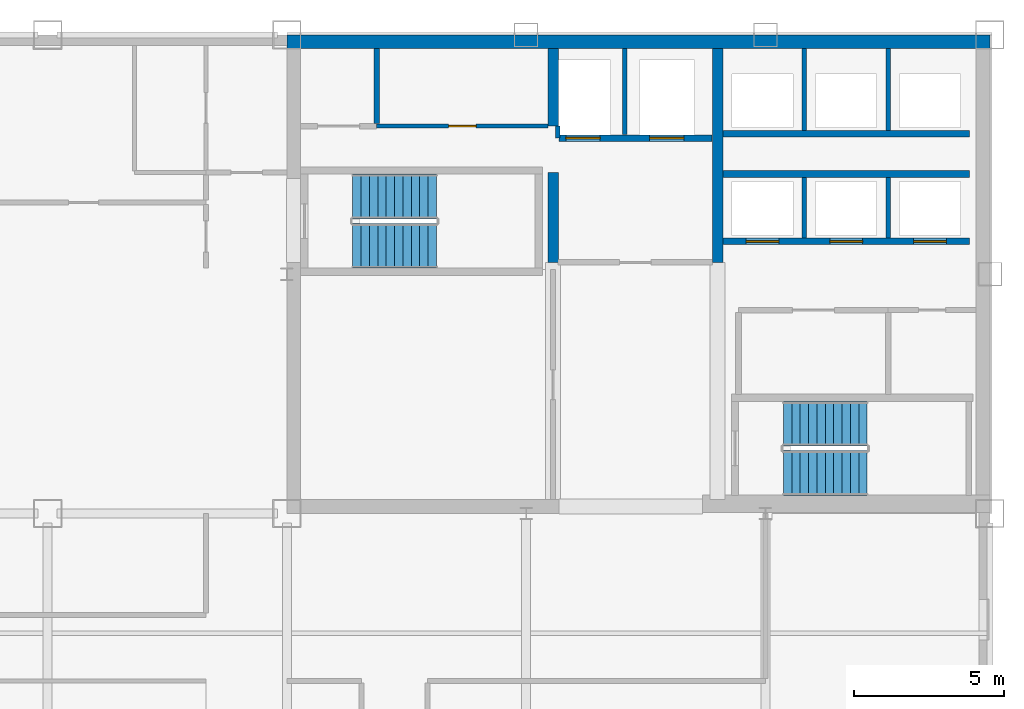
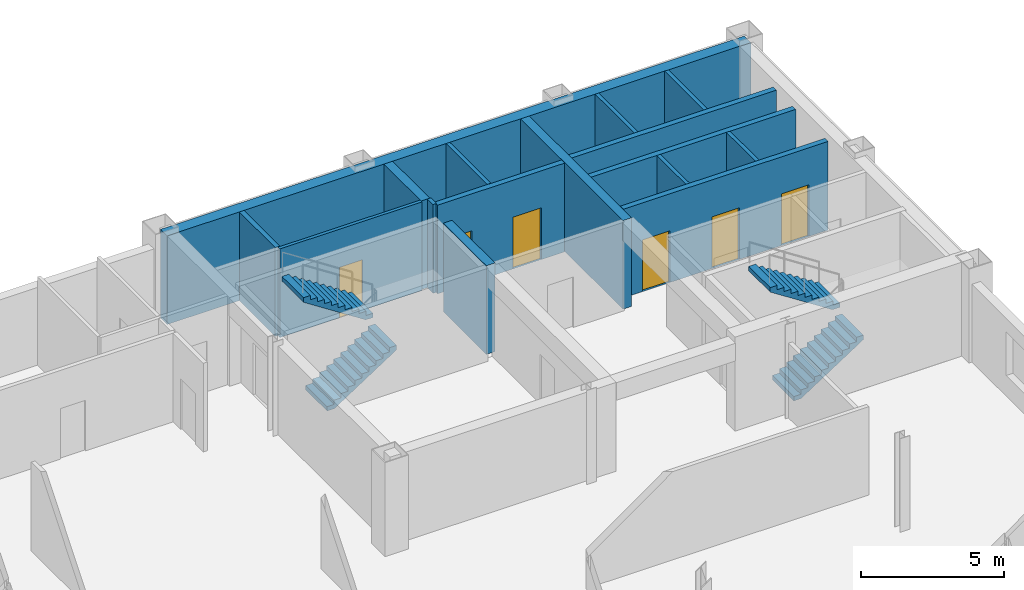
# One storey, part 6 of 10: 16 walls, 6 doors, 4 stair flights, 6 openings, 2 elements without a shape of their own.
"""IFC4 building model written with IfcOpenShell, lengths in metres."""

from ifc_helpers import new_model, si_unit, direction, frame, frame_2d, origin, place, context, subcontext, project, spatial, polyline, rectangle, outline, extrude, material, layer, layer_set, type_object, element, fill, aggregate, save


model = new_model("IFC4")

# Units and contexts
model_context = context("Model", 3, precision=1e-05, world=origin(), true_north=direction((0.0, 1.0)))
body_context = subcontext(model_context, "Body", "Model", "MODEL_VIEW")
ifc_project = project(units=[si_unit("LENGTHUNIT", "METRE"), si_unit("AREAUNIT", "SQUARE_METRE"), si_unit("VOLUMEUNIT", "CUBIC_METRE"), si_unit("PLANEANGLEUNIT", "RADIAN"), si_unit("MASSUNIT", "GRAM", prefix="KILO")], contexts=[model_context])

# Site, building, storey
site_placement = place(None, origin())
site = spatial("IfcSite", under=ifc_project, at=site_placement, CompositionType="ELEMENT")
building_placement = place(site_placement, origin())
building = spatial("IfcBuilding", under=site, at=building_placement, Name="Qianrong Seaharbour Tower", CompositionType="ELEMENT")
storey_placement = place(building_placement, frame((0.0, 0.0, 229.800048828125)))
storey = spatial("IfcBuildingStorey", under=building, at=storey_placement, Name="L55", CompositionType="ELEMENT", Elevation=229.800048828125)

# Walls
ifc_material_1 = material(Name="Concrete C60/75", Category="concrete")
ifc_layer_1 = layer(ifc_material_1, 0.4599609375)
ifc_layer_set_1 = layer_set([ifc_layer_1], Name="Concrete C60/75")
wall_type_1 = type_object("IfcWallType", Name="WALL-CORE-460", PredefinedType="SHEAR", material=ifc_layer_set_1)
wall_1_placement = place(storey_placement, frame((40.5, 51.77001953125, 0.0), z_axis=(0.0, 0.0, 1.0), x_axis=(1.0, 0.0, 0.0)))
element("IfcWall", 1, at=wall_1_placement, inside=storey, type_object=wall_type_1, Name="L55 North Core Shear Wall", PredefinedType="SHEAR", context=body_context, shape_type="SweptSolid", body=[
    extrude(rectangle(XDim=23.5, YDim=0.4599609375, at=frame_2d((11.75, 0.0))), origin(), (0.0, 0.0, 1.0), 3.77490234375),
])
ifc_material_2 = material(Name="Concrete C50/60", Category="concrete")
ifc_layer_2 = layer(ifc_material_2, 0.35009765625)
ifc_layer_set_2 = layer_set([ifc_layer_2], Name="Concrete C50/60")
wall_type_2 = type_object("IfcWallType", Name="WALL-CORE-INT-350", PredefinedType="SHEAR", material=ifc_layer_set_2)
wall_2_placement = place(storey_placement, frame((49.39990234375, 44.39990234375, 0.0), z_axis=(0.0, 0.0, 1.0), x_axis=(0.0, 1.0, 0.0)))
element("IfcWall", 2, at=wall_2_placement, inside=storey, type_object=wall_type_2, Name="L55 Internal Core Shear Wall IW1N1", PredefinedType="SHEAR", context=body_context, shape_type="SweptSolid", body=[
    extrude(rectangle(XDim=3.0, YDim=0.35009765625, at=frame_2d((1.5, 0.0))), origin(), (0.0, 0.0, 1.0), 3.77490234375),
])
wall_3_placement = place(storey_placement, frame((49.39990234375, 48.949951171875, 0.0), z_axis=(0.0, 0.0, 1.0), x_axis=(0.0, 1.0, 0.0)))
element("IfcWall", 3, at=wall_3_placement, inside=storey, type_object=wall_type_2, Name="L55 Internal Core Shear Wall IW1N2", PredefinedType="SHEAR", context=body_context, shape_type="SweptSolid", body=[
    extrude(rectangle(XDim=2.590087890625, YDim=0.35009765625, at=frame_2d((1.294921875, 0.0))), origin(), (0.0, 0.0, 1.0), 3.77490234375),
])
wall_4_placement = place(storey_placement, frame((54.89990234375, 44.39990234375, 0.0), z_axis=(0.0, 0.0, 1.0), x_axis=(0.0, 1.0, 0.0)))
element("IfcWall", 4, at=wall_4_placement, inside=storey, type_object=wall_type_2, Name="L55 Internal Core Shear Wall IW2N", PredefinedType="SHEAR", context=body_context, shape_type="SweptSolid", body=[
    extrude(rectangle(XDim=7.14013671875, YDim=0.35009765625, at=frame_2d((3.570068359375, 0.0))), origin(), (0.0, 0.0, 1.0), 3.77490234375),
])
ifc_material_3 = material(Name="Double fire-rated gypsum board acoustic partition")
ifc_layer_3 = layer(ifc_material_3, 0.18994140625)
ifc_layer_set_3 = layer_set([ifc_layer_3], Name="Double fire-rated gypsum board acoustic partition")
wall_type_3 = type_object("IfcWallType", Name="WALL-FIRE-PART-190", PredefinedType="PARTITIONING", material=ifc_layer_set_3)
wall_5_placement = place(storey_placement, frame((43.5, 51.5400390625, 0.0), z_axis=(0.0, 0.0, 1.0), x_axis=(0.0, -1.0, 0.0)))
element("IfcWall", 5, at=wall_5_placement, inside=storey, type_object=wall_type_3, Name="L55 Interior Partition Wall 014", PredefinedType="PARTITIONING", context=body_context, shape_type="SweptSolid", body=[
    extrude(rectangle(XDim=2.5029296875, YDim=0.18994140625, at=frame_2d((1.25146484375, 0.0))), origin(), (0.0, 0.0, 1.0), 3.77490234375),
])
ifc_material_4 = material(Name="Fire-rated gypsum board on steel studs", Category="steel")
ifc_layer_4 = layer(ifc_material_4, 0.14990234375)
ifc_layer_set_4 = layer_set([ifc_layer_4], Name="Fire-rated gypsum board on steel studs")
wall_type_4 = type_object("IfcWallType", Name="WALL-SHAFT-DIV-150", PredefinedType="PARTITIONING", material=ifc_layer_set_4)
wall_6_placement = place(storey_placement, frame((51.800048828125, 48.669921875, 0.0), z_axis=(0.0, 0.0, 1.0), x_axis=(0.0, 1.0, 0.0)))
element("IfcWall", 6, at=wall_6_placement, inside=storey, type_object=wall_type_4, Name="L55 Firefighting Lift Shaft Divider Wall", PredefinedType="PARTITIONING", context=body_context, shape_type="SweptSolid", body=[
    extrude(rectangle(XDim=2.8701171875, YDim=0.14990234375, at=frame_2d((1.43505859375, 0.0))), origin(), (0.0, 0.0, 1.0), 3.77490234375),
])
wall_7_placement = place(storey_placement, frame((49.550048828125, 48.550048828125, 0.0), z_axis=(0.0, 0.0, 1.0), x_axis=(0.0, 1.0, 0.0)))
element("IfcWall", 7, at=wall_7_placement, inside=storey, type_object=wall_type_4, Name="L55 Firefighting Lift Shaft West Return Wall", PredefinedType="PARTITIONING", context=body_context, shape_type="SweptSolid", body=[
    extrude(rectangle(XDim=0.39990234375, YDim=0.14990234375, at=frame_2d((0.199951171875, 0.0))), origin(), (0.0, 0.0, 1.0), 3.77490234375),
])
for number, where, z_axis, x_axis, name in (
    (8, (57.800048828125, 45.2099609375, 0.0), (0.0, 0.0, 1.0), (0.0, 1.0, 0.0), "L55 P3 Lift Hoistway Divider 2"),
    (9, (60.60009765625, 45.2099609375, 0.0), (0.0, 0.0, 1.0), (0.0, 1.0, 0.0), "L55 P3 Lift Hoistway Divider 3"),
):
    element("IfcWall", number, at=place(storey_placement, frame(where, z_axis=z_axis, x_axis=x_axis)), inside=storey, type_object=wall_type_4, Name=name, PredefinedType="PARTITIONING", context=body_context, shape_type="SweptSolid", body=[
        extrude(rectangle(XDim=2.030029296875, YDim=0.14990234375, at=frame_2d((1.01513671875, 0.0))), origin(), (0.0, 0.0, 1.0), 3.77490234375),
    ])
for number, where, z_axis, x_axis, name in (
    (10, (57.800048828125, 48.81005859375, 0.0), (0.0, 0.0, 1.0), (0.0, 1.0, 0.0), "L55 P4 Lift Hoistway Divider 2"),
    (11, (60.60009765625, 48.81005859375, 0.0), (0.0, 0.0, 1.0), (0.0, 1.0, 0.0), "L55 P4 Lift Hoistway Divider 3"),
):
    element("IfcWall", number, at=place(storey_placement, frame(where, z_axis=z_axis, x_axis=x_axis)), inside=storey, type_object=wall_type_4, Name=name, PredefinedType="PARTITIONING", context=body_context, shape_type="SweptSolid", body=[
        extrude(rectangle(XDim=2.72998046875, YDim=0.14990234375, at=frame_2d((1.364990234375, 0.0))), origin(), (0.0, 0.0, 1.0), 3.77490234375),
    ])

# Wall, openings, doors
ifc_layer_5 = layer(ifc_material_4, 0.219970703125)
ifc_layer_set_5 = layer_set([ifc_layer_5], Name="Fire-rated gypsum board on steel studs")
wall_type_5 = type_object("IfcWallType", Name="WALL-SHAFT-GYP220", PredefinedType="PARTITIONING", material=ifc_layer_set_5)
wall_8_placement = place(storey_placement, frame((54.7099609375, 48.550048828125, 0.0), z_axis=(0.0, 0.0, 1.0), x_axis=(-1.0, 0.0, 0.0)))
wall_8 = element("IfcWall", 12, at=wall_8_placement, inside=storey, type_object=wall_type_5, Name="L55 Firefighting Lift Shaft Front Wall", PredefinedType="PARTITIONING", context=body_context, shape_type="SweptSolid", body=[
    extrude(rectangle(XDim=5.119873046875, YDim=0.219970703125, at=frame_2d((2.56005859375, 0.0))), origin(), (0.0, 0.0, 1.0), 3.77490234375),
])
opening_1_placement = place(wall_8_placement, frame((3.735107421875, 0.0, 0.0)))
opening_1 = element("IfcOpeningElement", 13, at=opening_1_placement, cuts=wall_8, Name="Opening LD-01", PredefinedType="OPENING", context=body_context, shape_type="SweptSolid", body=[
    extrude(rectangle(XDim=1.14990234375, YDim=2.199951171875, at=frame_2d((0.574951171875, 1.10009765625))), frame((0.0, 0.1201171875, 0.0), z_axis=(0.0, -1.0, 0.0), x_axis=(1.0, 0.0, 0.0)), (0.0, 0.0, 1.0), 0.239990234375),
])
opening_2_placement = place(wall_8_placement, frame((0.93505859375, 0.0, 0.0)))
opening_2 = element("IfcOpeningElement", 14, at=opening_2_placement, cuts=wall_8, Name="Opening LD-01", PredefinedType="OPENING", context=body_context, shape_type="SweptSolid", body=[
    extrude(rectangle(XDim=1.14990234375, YDim=2.199951171875, at=frame_2d((0.574951171875, 1.10009765625))), frame((0.0, 0.1201171875, 0.0), z_axis=(0.0, -1.0, 0.0), x_axis=(1.0, 0.0, 0.0)), (0.0, 0.0, 1.0), 0.239990234375),
])
ifc_material_5 = material(Name="Stainless steel SUS316L bi-parting lift landing door", Category="steel")
door_type_1 = type_object("IfcDoorType", Name="DOOR-LIFT-FF-1150x2200", OperationType="DOUBLE_DOOR_SLIDING", PredefinedType="DOOR", material=ifc_material_5)
door_1_placement = place(opening_1_placement, origin())
door_1 = element("IfcDoor", 15, at=door_1_placement, inside=storey, type_object=door_type_1, Name="L55 FL-1 Firefighting Lift Landing Door", OperationType="DOUBLE_DOOR_SLIDING", OverallHeight=2.199951171875, OverallWidth=1.14990234375, PredefinedType="DOOR", context=body_context, shape_type="SweptSolid", body=[
    extrude(rectangle(XDim=1.14990234375, YDim=2.199951171875, at=frame_2d((0.574951171875, 1.10009765625))), frame((0.0, 0.02490234375, 0.0), z_axis=(0.0, -1.0, 0.0), x_axis=(1.0, 0.0, 0.0)), (0.0, 0.0, 1.0), 0.050048828125),
])
fill(opening_1, door_1)
door_2_placement = place(opening_2_placement, origin())
door_2 = element("IfcDoor", 16, at=door_2_placement, inside=storey, type_object=door_type_1, Name="L55 FL-2 Firefighting Lift Landing Door", OperationType="DOUBLE_DOOR_SLIDING", OverallHeight=2.199951171875, OverallWidth=1.14990234375, PredefinedType="DOOR", context=body_context, shape_type="SweptSolid", body=[
    extrude(rectangle(XDim=1.14990234375, YDim=2.199951171875, at=frame_2d((0.574951171875, 1.10009765625))), frame((0.0, 0.02490234375, 0.0), z_axis=(0.0, -1.0, 0.0), x_axis=(1.0, 0.0, 0.0)), (0.0, 0.0, 1.0), 0.050048828125),
])
fill(opening_2, door_2)

wall_9_placement = place(storey_placement, frame((63.320068359375, 45.10009765625, 0.0), z_axis=(0.0, 0.0, 1.0), x_axis=(-1.0, 0.0, 0.0)))
wall_9 = element("IfcWall", 17, at=wall_9_placement, inside=storey, type_object=wall_type_5, Name="L55 P3 Lift Hoistway Front Wall", PredefinedType="PARTITIONING", context=body_context, shape_type="SweptSolid", body=[
    extrude(rectangle(XDim=8.239990234375, YDim=0.219970703125, at=frame_2d((4.1201171875, 0.0))), origin(), (0.0, 0.0, 1.0), 3.77490234375),
])
opening_3_placement = place(wall_9_placement, frame((6.3701171875, 0.0, 0.0)))
opening_3 = element("IfcOpeningElement", 18, at=opening_3_placement, cuts=wall_9, Name="Opening LD-02", PredefinedType="OPENING", context=body_context, shape_type="SweptSolid", body=[
    extrude(rectangle(XDim=1.10009765625, YDim=2.199951171875, at=frame_2d((0.550048828125, 1.10009765625))), frame((0.0, 0.1201171875, 0.0), z_axis=(0.0, -1.0, 0.0), x_axis=(1.0, 0.0, 0.0)), (0.0, 0.0, 1.0), 0.239990234375),
])
opening_4_placement = place(wall_9_placement, frame((3.570068359375, 0.0, 0.0)))
opening_4 = element("IfcOpeningElement", 19, at=opening_4_placement, cuts=wall_9, Name="Opening LD-02", PredefinedType="OPENING", context=body_context, shape_type="SweptSolid", body=[
    extrude(rectangle(XDim=1.10009765625, YDim=2.199951171875, at=frame_2d((0.550048828125, 1.10009765625))), frame((0.0, 0.1201171875, 0.0), z_axis=(0.0, -1.0, 0.0), x_axis=(1.0, 0.0, 0.0)), (0.0, 0.0, 1.0), 0.239990234375),
])
opening_5_placement = place(wall_9_placement, frame((0.77001953125, 0.0, 0.0)))
opening_5 = element("IfcOpeningElement", 20, at=opening_5_placement, cuts=wall_9, Name="Opening LD-02", PredefinedType="OPENING", context=body_context, shape_type="SweptSolid", body=[
    extrude(rectangle(XDim=1.10009765625, YDim=2.199951171875, at=frame_2d((0.550048828125, 1.10009765625))), frame((0.0, 0.1201171875, 0.0), z_axis=(0.0, -1.0, 0.0), x_axis=(1.0, 0.0, 0.0)), (0.0, 0.0, 1.0), 0.239990234375),
])
door_type_2 = type_object("IfcDoorType", Name="DOOR-LIFT-PASS-1100x2200", OperationType="DOUBLE_DOOR_SLIDING", PredefinedType="DOOR", material=ifc_material_5)
door_3_placement = place(opening_3_placement, origin())
door_3 = element("IfcDoor", 21, at=door_3_placement, inside=storey, type_object=door_type_2, Name="L55 PL-3A Lift Landing Door", OperationType="DOUBLE_DOOR_SLIDING", OverallHeight=2.199951171875, OverallWidth=1.10009765625, PredefinedType="DOOR", context=body_context, shape_type="SweptSolid", body=[
    extrude(rectangle(XDim=1.10009765625, YDim=2.199951171875, at=frame_2d((0.550048828125, 1.10009765625))), frame((0.0, 0.02490234375, 0.0), z_axis=(0.0, -1.0, 0.0), x_axis=(1.0, 0.0, 0.0)), (0.0, 0.0, 1.0), 0.050048828125),
])
fill(opening_3, door_3)
door_4_placement = place(opening_4_placement, origin())
door_4 = element("IfcDoor", 22, at=door_4_placement, inside=storey, type_object=door_type_2, Name="L55 PL-3B Lift Landing Door", OperationType="DOUBLE_DOOR_SLIDING", OverallHeight=2.199951171875, OverallWidth=1.10009765625, PredefinedType="DOOR", context=body_context, shape_type="SweptSolid", body=[
    extrude(rectangle(XDim=1.10009765625, YDim=2.199951171875, at=frame_2d((0.550048828125, 1.10009765625))), frame((0.0, 0.02490234375, 0.0), z_axis=(0.0, -1.0, 0.0), x_axis=(1.0, 0.0, 0.0)), (0.0, 0.0, 1.0), 0.050048828125),
])
fill(opening_4, door_4)
door_5_placement = place(opening_5_placement, origin())
door_5 = element("IfcDoor", 23, at=door_5_placement, inside=storey, type_object=door_type_2, Name="L55 PL-3C Lift Landing Door", OperationType="DOUBLE_DOOR_SLIDING", OverallHeight=2.199951171875, OverallWidth=1.10009765625, PredefinedType="DOOR", context=body_context, shape_type="SweptSolid", body=[
    extrude(rectangle(XDim=1.10009765625, YDim=2.199951171875, at=frame_2d((0.550048828125, 1.10009765625))), frame((0.0, 0.02490234375, 0.0), z_axis=(0.0, -1.0, 0.0), x_axis=(1.0, 0.0, 0.0)), (0.0, 0.0, 1.0), 0.050048828125),
])
fill(opening_5, door_5)

# Walls
for number, where, z_axis, x_axis, name in (
    (24, (55.080078125, 47.35009765625, 0.0), (0.0, 0.0, 1.0), (1.0, 0.0, 0.0), "L55 P3 Lift Hoistway Back Wall"),
    (25, (63.320068359375, 48.699951171875, 0.0), (0.0, 0.0, 1.0), (-1.0, 0.0, 0.0), "L55 P4 Lift Hoistway Front Wall"),
):
    element("IfcWall", number, at=place(storey_placement, frame(where, z_axis=z_axis, x_axis=x_axis)), inside=storey, type_object=wall_type_5, Name=name, PredefinedType="PARTITIONING", context=body_context, shape_type="SweptSolid", body=[
        extrude(rectangle(XDim=8.239990234375, YDim=0.219970703125, at=frame_2d((4.1201171875, 0.0))), origin(), (0.0, 0.0, 1.0), 3.77490234375),
    ])

# Wall, opening, door
ifc_material_6 = material(Name="Water-resistant cement board sanitary partition")
ifc_layer_6 = layer(ifc_material_6, 0.1298828125)
ifc_layer_set_6 = layer_set([ifc_layer_6], Name="Water-resistant cement board sanitary partition")
wall_type_6 = type_object("IfcWallType", Name="WALL-WET-PART-130", PredefinedType="PARTITIONING", material=ifc_layer_set_6)
wall_10_placement = place(storey_placement, frame((43.5, 48.949951171875, 0.0), z_axis=(0.0, 0.0, 1.0), x_axis=(1.0, 0.0, 0.0)))
wall_10 = element("IfcWall", 26, at=wall_10_placement, inside=storey, type_object=wall_type_6, Name="L55 Interior Partition Wall 008", PredefinedType="PARTITIONING", context=body_context, shape_type="SweptSolid", body=[
    extrude(rectangle(XDim=5.73291015625, YDim=0.1298828125, at=frame_2d((2.866455078125, 0.0))), origin(), (0.0, 0.0, 1.0), 3.77490234375),
])
opening_6_placement = place(wall_10_placement, frame((2.406494140625, 0.0, 0.0)))
opening_6 = element("IfcOpeningElement", 27, at=opening_6_placement, cuts=wall_10, Name="Opening DW-01", PredefinedType="OPENING", context=body_context, shape_type="SweptSolid", body=[
    extrude(rectangle(XDim=0.919921875, YDim=2.14990234375, at=frame_2d((0.4599609375, 1.074951171875))), frame((0.0, 0.074951171875, 0.0), z_axis=(0.0, -1.0, 0.0), x_axis=(1.0, 0.0, 0.0)), (0.0, 0.0, 1.0), 0.14990234375),
])
ifc_material_7 = material(Name="Acoustic timber and galvanized steel fire door assembly", Category="steel")
door_type_3 = type_object("IfcDoorType", Name="DOOR-WC-920x2150", OperationType="NOTDEFINED", PredefinedType="DOOR", material=ifc_material_7)
door_6_placement = place(opening_6_placement, origin())
door_6 = element("IfcDoor", 28, at=door_6_placement, inside=storey, type_object=door_type_3, Name="L55 Staff Restroom WC Door", OperationType="SINGLE_SWING_LEFT", OverallHeight=2.14990234375, OverallWidth=0.919921875, PredefinedType="DOOR", context=body_context, shape_type="SweptSolid", body=[
    extrude(rectangle(XDim=0.919921875, YDim=2.14990234375, at=frame_2d((0.4599609375, 1.074951171875))), frame((0.0, 0.02490234375, 0.0), z_axis=(0.0, -1.0, 0.0), x_axis=(1.0, 0.0, 0.0)), (0.0, 0.0, 1.0), 0.050048828125),
])
fill(opening_6, door_6)

# Stair, stair flights
stair_type = type_object("IfcStairType", Name="STAIR-DOGLEG-1500-R22", PredefinedType="HALF_TURN_STAIR", material=ifc_material_2)
stair_1_placement = place(storey_placement, origin())
stair_1 = element("IfcStair", 29, at=stair_1_placement, inside=storey, type_object=stair_type, Name="L55 Protected Escape Stair ST-1", PredefinedType="HALF_TURN_STAIR")
stair_flight_type = type_object("IfcStairFlightType", Name="FLIGHT-STR-1500-R22", PredefinedType="STRAIGHT", material=ifc_material_2)
stair_flight_1_placement = place(storey_placement, frame((42.699951171875, 44.949951171875, 0.0), z_axis=(0.0, 0.0, 1.0), x_axis=(1.0, 0.0, 0.0)))
stair_flight_1 = element("IfcStairFlight", 30, at=stair_flight_1_placement, type_object=stair_flight_type, Name="ST-1 flight 1", NumberOfRisers=11, NumberOfTreads=10, PredefinedType="STRAIGHT", RiserHeight=0.181818182, TreadLength=0.28, context=body_context, shape_type="SweptSolid", body=[
    extrude(outline(polyline([(0.0, 0.0), (0.0, 0.181884765625), (0.280029296875, 0.181884765625), (0.280029296875, 0.363525390625), (0.56005859375, 0.363525390625), (0.56005859375, 0.54541015625), (0.840087890625, 0.54541015625), (0.840087890625, 0.727294921875), (1.1201171875, 0.727294921875), (1.1201171875, 0.9091796875), (1.39990234375, 0.9091796875), (1.39990234375, 1.0908203125), (1.679931640625, 1.0908203125), (1.679931640625, 1.272705078125), (1.9599609375, 1.272705078125), (1.9599609375, 1.45458984375), (2.239990234375, 1.45458984375), (2.239990234375, 1.636474609375), (2.52001953125, 1.636474609375), (2.52001953125, 1.818115234375), (2.800048828125, 1.818115234375), (2.800048828125, 2.0), (2.800048828125, 1.62744140625), (0.293701171875, 0.0), (0.0, 0.0)])), frame((0.0, 0.75, 0.0), z_axis=(0.0, -1.0, 0.0), x_axis=(1.0, 0.0, 0.0)), (0.0, 0.0, 1.0), 1.5),
])
stair_flight_2_placement = place(storey_placement, frame((45.5, 46.60009765625, 2.0), z_axis=(0.0, 0.0, 1.0), x_axis=(-1.0, 0.0, 0.0)))
stair_flight_2 = element("IfcStairFlight", 31, at=stair_flight_2_placement, type_object=stair_flight_type, Name="ST-1 flight 2", NumberOfRisers=11, NumberOfTreads=10, PredefinedType="STRAIGHT", RiserHeight=0.181818182, TreadLength=0.28, context=body_context, shape_type="SweptSolid", body=[
    extrude(outline(polyline([(0.0, 0.0), (0.0, 0.181884765625), (0.280029296875, 0.181884765625), (0.280029296875, 0.363525390625), (0.56005859375, 0.363525390625), (0.56005859375, 0.54541015625), (0.840087890625, 0.54541015625), (0.840087890625, 0.727294921875), (1.1201171875, 0.727294921875), (1.1201171875, 0.9091796875), (1.39990234375, 0.9091796875), (1.39990234375, 1.0908203125), (1.679931640625, 1.0908203125), (1.679931640625, 1.272705078125), (1.9599609375, 1.272705078125), (1.9599609375, 1.45458984375), (2.239990234375, 1.45458984375), (2.239990234375, 1.636474609375), (2.52001953125, 1.636474609375), (2.52001953125, 1.818115234375), (2.800048828125, 1.818115234375), (2.800048828125, 2.0), (2.800048828125, 1.62744140625), (0.293701171875, 0.0), (0.0, 0.0)])), frame((0.0, 0.75, 0.0), z_axis=(0.0, -1.0, 0.0), x_axis=(1.0, 0.0, 0.0)), (0.0, 0.0, 1.0), 1.5),
])
aggregate(stair_1, [stair_flight_1, stair_flight_2])

stair_2_placement = place(storey_placement, origin())
stair_2 = element("IfcStair", 32, at=stair_2_placement, inside=storey, type_object=stair_type, Name="L55 Protected Escape Stair ST-2", PredefinedType="HALF_TURN_STAIR")
stair_flight_3_placement = place(storey_placement, frame((57.10009765625, 37.35009765625, 0.0), z_axis=(0.0, 0.0, 1.0), x_axis=(1.0, 0.0, 0.0)))
stair_flight_3 = element("IfcStairFlight", 33, at=stair_flight_3_placement, type_object=stair_flight_type, Name="ST-2 flight 1", NumberOfRisers=11, NumberOfTreads=10, PredefinedType="STRAIGHT", RiserHeight=0.181818182, TreadLength=0.28, context=body_context, shape_type="SweptSolid", body=[
    extrude(outline(polyline([(0.0, 0.0), (0.0, 0.181884765625), (0.280029296875, 0.181884765625), (0.280029296875, 0.363525390625), (0.56005859375, 0.363525390625), (0.56005859375, 0.54541015625), (0.840087890625, 0.54541015625), (0.840087890625, 0.727294921875), (1.1201171875, 0.727294921875), (1.1201171875, 0.9091796875), (1.39990234375, 0.9091796875), (1.39990234375, 1.0908203125), (1.679931640625, 1.0908203125), (1.679931640625, 1.272705078125), (1.9599609375, 1.272705078125), (1.9599609375, 1.45458984375), (2.239990234375, 1.45458984375), (2.239990234375, 1.636474609375), (2.52001953125, 1.636474609375), (2.52001953125, 1.818115234375), (2.800048828125, 1.818115234375), (2.800048828125, 2.0), (2.800048828125, 1.62744140625), (0.293701171875, 0.0), (0.0, 0.0)])), frame((0.0, 0.75, 0.0), z_axis=(0.0, -1.0, 0.0), x_axis=(1.0, 0.0, 0.0)), (0.0, 0.0, 1.0), 1.5),
])
stair_flight_4_placement = place(storey_placement, frame((59.89990234375, 39.0, 2.0), z_axis=(0.0, 0.0, 1.0), x_axis=(-1.0, 0.0, 0.0)))
stair_flight_4 = element("IfcStairFlight", 34, at=stair_flight_4_placement, type_object=stair_flight_type, Name="ST-2 flight 2", NumberOfRisers=11, NumberOfTreads=10, PredefinedType="STRAIGHT", RiserHeight=0.181818182, TreadLength=0.28, context=body_context, shape_type="SweptSolid", body=[
    extrude(outline(polyline([(0.0, 0.0), (0.0, 0.181884765625), (0.280029296875, 0.181884765625), (0.280029296875, 0.363525390625), (0.56005859375, 0.363525390625), (0.56005859375, 0.54541015625), (0.840087890625, 0.54541015625), (0.840087890625, 0.727294921875), (1.1201171875, 0.727294921875), (1.1201171875, 0.9091796875), (1.39990234375, 0.9091796875), (1.39990234375, 1.0908203125), (1.679931640625, 1.0908203125), (1.679931640625, 1.272705078125), (1.9599609375, 1.272705078125), (1.9599609375, 1.45458984375), (2.239990234375, 1.45458984375), (2.239990234375, 1.636474609375), (2.52001953125, 1.636474609375), (2.52001953125, 1.818115234375), (2.800048828125, 1.818115234375), (2.800048828125, 2.0), (2.800048828125, 1.62744140625), (0.293701171875, 0.0), (0.0, 0.0)])), frame((0.0, 0.75, 0.0), z_axis=(0.0, -1.0, 0.0), x_axis=(1.0, 0.0, 0.0)), (0.0, 0.0, 1.0), 1.5),
])
aggregate(stair_2, [stair_flight_3, stair_flight_4])

save(model, "model.ifc")
